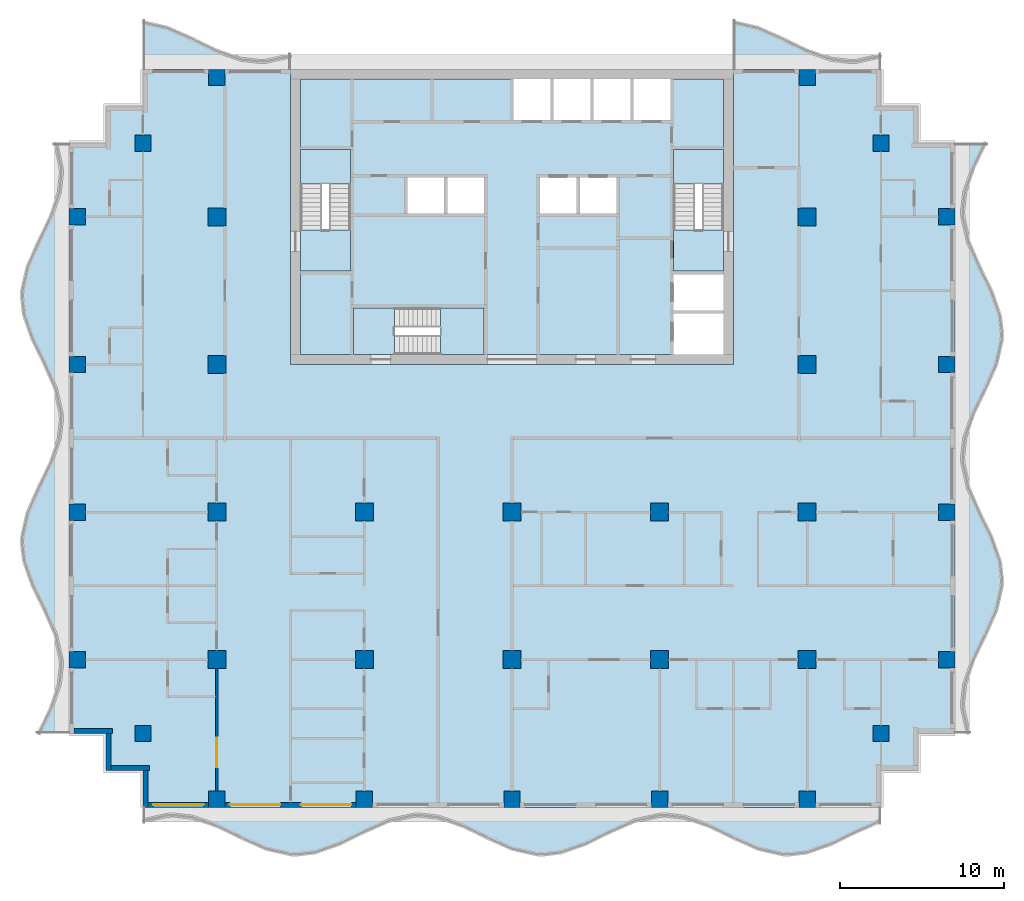
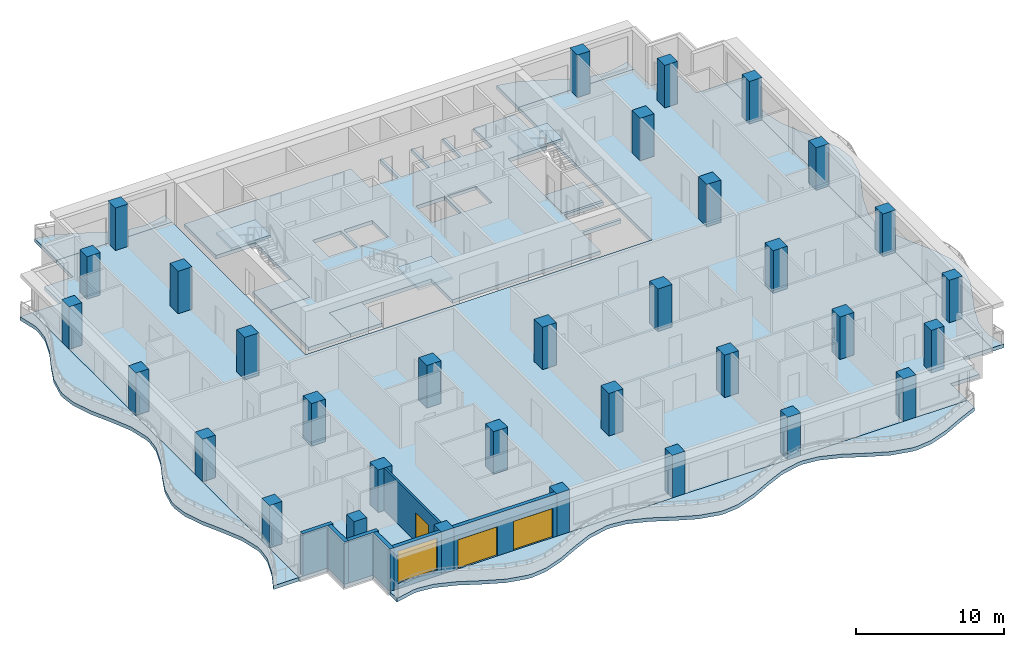
# One storey, part 1 of 11: 33 columns, 13 slabs, 7 walls, 3 doors, 1 window, 4 openings, 3 elements without a shape of their own.
"""IFC4 building model written with IfcOpenShell, lengths in metres."""

from ifc_helpers import new_model, si_unit, direction, frame, frame_2d, origin, origin_2d, place, context, subcontext, project, spatial, polyline, rectangle, outline, extrude, material, layer, layer_set, material_profile, profile_set, type_object, element, fill, aggregate, save


model = new_model("IFC4")

# Units and contexts
model_context = context("Model", 3, precision=1e-05, world=origin(), true_north=direction((0.0, 1.0)))
body_context = subcontext(model_context, "Body", "Model", "MODEL_VIEW")
ifc_project = project(units=[si_unit("LENGTHUNIT", "METRE"), si_unit("AREAUNIT", "SQUARE_METRE"), si_unit("VOLUMEUNIT", "CUBIC_METRE"), si_unit("PLANEANGLEUNIT", "RADIAN"), si_unit("MASSUNIT", "GRAM", prefix="KILO")], contexts=[model_context])

# Site, building, storey
site_placement = place(None, origin())
site = spatial("IfcSite", under=ifc_project, at=site_placement, CompositionType="ELEMENT")
building_placement = place(site_placement, origin())
building = spatial("IfcBuilding", under=site, at=building_placement, Name="Orbiselva Terraces", CompositionType="ELEMENT")
storey_placement = place(building_placement, frame((0.0, 0.0, 199.6)))
storey = spatial("IfcBuildingStorey", under=building, at=storey_placement, Name="L50", CompositionType="ELEMENT", Elevation=199.6)

# Columns
ifc_material_1 = material(Name="Concrete C60/75", Category="concrete")
ifc_material_profile_1 = material_profile(ifc_material_1, rectangle(XDim=1.1, YDim=1.1, at=origin_2d()), Name="RC 1100x1100")
ifc_profile_set_1 = profile_set([ifc_material_profile_1], Name="Concrete C60/75")
column_type_1 = type_object("IfcColumnType", Name="COLUMN RC 1100x1100", PredefinedType="COLUMN", material=ifc_profile_set_1)
for number, where, z_axis, x_axis, name in (
    (1, (-18.0, -13.5, 0.0), (0.0, 0.0, 1.0), (1.0, 0.0, 0.0), "Column L50-01"),
    (2, (-18.0, -4.5, 0.0), (0.0, 0.0, 1.0), (1.0, 0.0, 0.0), "Column L50-03"),
    (3, (-18.0, 13.5, 0.0), (0.0, 0.0, 1.0), (1.0, 0.0, 0.0), "Column L50-04"),
    (4, (-18.0, 4.5, 0.0), (0.0, 0.0, 1.0), (1.0, 0.0, 0.0), "Column L50-06"),
    (5, (-9.0, -13.5, 0.0), (0.0, 0.0, 1.0), (1.0, 0.0, 0.0), "Column L50-13"),
    (6, (-9.0, -4.5, 0.0), (0.0, 0.0, 1.0), (1.0, 0.0, 0.0), "Column L50-15"),
    (7, (0.0, -13.5, 0.0), (0.0, 0.0, 1.0), (1.0, 0.0, 0.0), "Column L50-16"),
    (8, (0.0, -4.5, 0.0), (0.0, 0.0, 1.0), (1.0, 0.0, 0.0), "Column L50-18"),
    (9, (18.0, -13.5, 0.0), (0.0, 0.0, 1.0), (1.0, 0.0, 0.0), "Column L50-19"),
    (10, (18.0, -4.5, 0.0), (0.0, 0.0, 1.0), (1.0, 0.0, 0.0), "Column L50-21"),
    (11, (18.0, 13.5, 0.0), (0.0, 0.0, 1.0), (1.0, 0.0, 0.0), "Column L50-22"),
    (12, (18.0, 4.5, 0.0), (0.0, 0.0, 1.0), (1.0, 0.0, 0.0), "Column L50-24"),
    (13, (9.0, -13.5, 0.0), (0.0, 0.0, 1.0), (1.0, 0.0, 0.0), "Column L50-31"),
    (14, (9.0, -4.5, 0.0), (0.0, 0.0, 1.0), (1.0, 0.0, 0.0), "Column L50-33"),
):
    element("IfcColumn", number, at=place(storey_placement, frame(where, z_axis=z_axis, x_axis=x_axis)), inside=storey, type_object=column_type_1, Name=name, PredefinedType="COLUMN", context=body_context, shape_type="SweptSolid", body=[
        extrude(rectangle(XDim=1.1, YDim=1.1, at=origin_2d()), origin(), (0.0, 0.0, 1.0), 3.5),
    ])
ifc_material_2 = material(Name="Concrete C50/60", Category="concrete")
ifc_material_profile_2 = material_profile(ifc_material_2, rectangle(XDim=1.0, YDim=1.0, at=origin_2d()), Name="RC 1000x1000")
ifc_profile_set_2 = profile_set([ifc_material_profile_2], Name="Concrete C50/60")
column_type_2 = type_object("IfcColumnType", Name="PERIMETER COLUMN RC 1000x1000", PredefinedType="COLUMN", material=ifc_profile_set_2)
for number, where, z_axis, x_axis, name in (
    (15, (-18.0, -22.0, 0.0), (0.0, 0.0, 1.0), (1.0, 0.0, 0.0), "Column L50-02"),
    (16, (-18.0, 22.0, 0.0), (0.0, 0.0, 1.0), (1.0, 0.0, 0.0), "Column L50-05"),
    (17, (-26.5, -13.5, 0.0), (0.0, 0.0, 1.0), (1.0, 0.0, 0.0), "Column L50-07"),
    (18, (-22.5, -18.0, 0.0), (0.0, 0.0, 1.0), (1.0, 0.0, 0.0), "Column L50-08"),
    (19, (-26.5, -4.5, 0.0), (0.0, 0.0, 1.0), (1.0, 0.0, 0.0), "Column L50-09"),
    (20, (-26.5, 13.5, 0.0), (0.0, 0.0, 1.0), (1.0, 0.0, 0.0), "Column L50-10"),
    (21, (-22.5, 18.0, 0.0), (0.0, 0.0, 1.0), (1.0, 0.0, 0.0), "Column L50-11"),
    (22, (-26.5, 4.5, 0.0), (0.0, 0.0, 1.0), (1.0, 0.0, 0.0), "Column L50-12"),
    (23, (-9.0, -22.0, 0.0), (0.0, 0.0, 1.0), (1.0, 0.0, 0.0), "Column L50-14"),
    (24, (0.0, -22.0, 0.0), (0.0, 0.0, 1.0), (1.0, 0.0, 0.0), "Column L50-17"),
    (25, (18.0, -22.0, 0.0), (0.0, 0.0, 1.0), (1.0, 0.0, 0.0), "Column L50-20"),
    (26, (18.0, 22.0, 0.0), (0.0, 0.0, 1.0), (1.0, 0.0, 0.0), "Column L50-23"),
    (27, (26.5, -13.5, 0.0), (0.0, 0.0, 1.0), (1.0, 0.0, 0.0), "Column L50-25"),
    (28, (22.5, -18.0, 0.0), (0.0, 0.0, 1.0), (1.0, 0.0, 0.0), "Column L50-26"),
    (29, (26.5, -4.5, 0.0), (0.0, 0.0, 1.0), (1.0, 0.0, 0.0), "Column L50-27"),
    (30, (26.5, 13.5, 0.0), (0.0, 0.0, 1.0), (1.0, 0.0, 0.0), "Column L50-28"),
    (31, (22.5, 18.0, 0.0), (0.0, 0.0, 1.0), (1.0, 0.0, 0.0), "Column L50-29"),
    (32, (26.5, 4.5, 0.0), (0.0, 0.0, 1.0), (1.0, 0.0, 0.0), "Column L50-30"),
    (33, (9.0, -22.0, 0.0), (0.0, 0.0, 1.0), (1.0, 0.0, 0.0), "Column L50-32"),
):
    element("IfcColumn", number, at=place(storey_placement, frame(where, z_axis=z_axis, x_axis=x_axis)), inside=storey, type_object=column_type_2, Name=name, PredefinedType="COLUMN", context=body_context, shape_type="SweptSolid", body=[
        extrude(rectangle(XDim=1.0, YDim=1.0, at=origin_2d()), origin(), (0.0, 0.0, 1.0), 3.5),
    ])

# Slabs
ifc_material_3 = material(Name="Concrete C40/50", Category="concrete")
ifc_layer_1 = layer(ifc_material_3, 0.3)
ifc_layer_set_1 = layer_set([ifc_layer_1], Name="Concrete C40/50")
slab_type_1 = type_object("IfcSlabType", Name="CORE-SLAB-FLOOR-300", PredefinedType="FLOOR", material=ifc_layer_set_1)
slab_1_placement = place(storey_placement, frame((0.0, 0.0, -0.3)))
element("IfcSlab", 34, at=slab_1_placement, inside=storey, type_object=slab_type_1, Name="L50 S1 floor landing", PredefinedType="FLOOR", context=body_context, shape_type="SweptSolid", body=[
    extrude(outline(polyline([(-12.9, 12.7), (-9.85, 12.7), (-9.85, 10.2), (-12.9, 10.2), (-12.9, 12.7)])), origin(), (0.0, 0.0, 1.0), 0.3),
])
slab_2_placement = place(storey_placement, frame((0.0, 0.0, -0.3)))
element("IfcSlab", 35, at=slab_2_placement, inside=storey, type_object=slab_type_1, Name="L50 S2 floor landing", PredefinedType="FLOOR", context=body_context, shape_type="SweptSolid", body=[
    extrude(outline(polyline([(12.9, 12.7), (12.9, 10.2), (9.85, 10.2), (9.85, 12.7), (12.9, 12.7)])), origin(), (0.0, 0.0, 1.0), 0.3),
])
slab_3_placement = place(storey_placement, frame((0.0, 0.0, -0.3)))
element("IfcSlab", 36, at=slab_3_placement, inside=storey, type_object=slab_type_1, Name="L50 S3 floor landing", PredefinedType="FLOOR", context=body_context, shape_type="SweptSolid", body=[
    extrude(outline(polyline([(-7.15, 5.1), (-9.65, 5.1), (-9.65, 7.95), (-7.15, 7.95), (-7.15, 5.1)])), origin(), (0.0, 0.0, 1.0), 0.3),
])
slab_4_placement = place(storey_placement, frame((0.0, 0.0, -0.3)))
element("IfcSlab", 37, at=slab_4_placement, inside=storey, type_object=slab_type_1, Name="L50 core floor slab 1", PredefinedType="FLOOR", context=body_context, shape_type="SweptSolid", body=[
    extrude(outline(polyline([(-1.7, 5.1), (-1.7, 7.95), (-9.65, 7.95), (-9.65, 5.1), (-12.9, 5.1), (-12.9, 10.2), (-9.85, 10.2), (-9.85, 17.6), (-12.9, 17.6), (-12.9, 21.9), (0.1, 21.9), (0.1, 19.4), (2.3375, 19.4), (2.3375, 21.9), (2.5375, 21.9), (2.5375, 19.4), (4.775, 19.4), (4.775, 21.9), (4.975, 21.9), (4.975, 19.4), (7.2125, 19.4), (7.2125, 21.9), (7.4125, 21.9), (7.4125, 19.4), (9.65, 19.4), (9.65, 21.9), (12.9, 21.9), (12.9, 17.6), (9.85, 17.6), (9.85, 10.2), (12.9, 10.2), (12.9, 10.0), (9.85, 10.0), (9.85, 7.8), (12.9, 7.8), (12.9, 7.6), (9.85, 7.6), (9.85, 5.1), (-1.7, 5.1)]), holes=[polyline([(-4.1375, 13.7), (-4.1375, 15.9), (-6.375, 15.9), (-6.375, 13.7), (-4.1375, 13.7)]), polyline([(-1.7, 13.7), (-1.7, 15.9), (-3.9375, 15.9), (-3.9375, 13.7), (-1.7, 13.7)]), polyline([(3.9375, 15.9), (1.7, 15.9), (1.7, 13.7), (3.9375, 13.7), (3.9375, 15.9)]), polyline([(6.375, 13.7), (6.375, 15.9), (4.1375, 15.9), (4.1375, 13.7), (6.375, 13.7)])]), origin(), (0.0, 0.0, 1.0), 0.3),
])

# Stair, slab
stair_type_1 = type_object("IfcStairType", Name="CORE-STAIR-1300", PredefinedType="HALF_TURN_STAIR", material=ifc_material_3)
stair_1_placement = place(storey_placement, origin())
stair_1 = element("IfcStair", 38, at=stair_1_placement, inside=storey, type_object=stair_type_1, Name="L50 Exit Stair S1", PredefinedType="HALF_TURN_STAIR")
ifc_layer_2 = layer(ifc_material_3, 0.2)
ifc_layer_set_2 = layer_set([ifc_layer_2], Name="Concrete C40/50")
slab_type_2 = type_object("IfcSlabType", Name="CORE-STAIR-LANDING-200", PredefinedType="LANDING", material=ifc_layer_set_2)
slab_5_placement = place(storey_placement, frame((0.0, 0.0, 1.7)))
slab_5 = element("IfcSlab", 39, at=slab_5_placement, type_object=slab_type_2, Name="S1 landing 1", PredefinedType="LANDING", context=body_context, shape_type="SweptSolid", body=[
    extrude(outline(polyline([(-9.85, 15.5), (-9.85, 17.6), (-12.9, 17.6), (-12.9, 15.5), (-9.85, 15.5)])), origin(), (0.0, 0.0, 1.0), 0.2),
])
aggregate(stair_1, [slab_5])

stair_2_placement = place(storey_placement, origin())
stair_2 = element("IfcStair", 40, at=stair_2_placement, inside=storey, type_object=stair_type_1, Name="L50 Exit Stair S2", PredefinedType="HALF_TURN_STAIR")
slab_6_placement = place(storey_placement, frame((0.0, 0.0, 1.7)))
slab_6 = element("IfcSlab", 41, at=slab_6_placement, type_object=slab_type_2, Name="S2 landing 1", PredefinedType="LANDING", context=body_context, shape_type="SweptSolid", body=[
    extrude(outline(polyline([(12.9, 15.5), (12.9, 17.6), (9.85, 17.6), (9.85, 15.5), (12.9, 15.5)])), origin(), (0.0, 0.0, 1.0), 0.2),
])
aggregate(stair_2, [slab_6])

stair_type_2 = type_object("IfcStairType", Name="CORE-STAIR-1200", PredefinedType="HALF_TURN_STAIR", material=ifc_material_3)
stair_3_placement = place(storey_placement, origin())
stair_3 = element("IfcStair", 42, at=stair_3_placement, inside=storey, type_object=stair_type_2, Name="L50 Exit Stair S3", PredefinedType="HALF_TURN_STAIR")
slab_7_placement = place(storey_placement, frame((0.0, 0.0, 1.7)))
slab_7 = element("IfcSlab", 43, at=slab_7_placement, type_object=slab_type_2, Name="S3 landing 1", PredefinedType="LANDING", context=body_context, shape_type="SweptSolid", body=[
    extrude(outline(polyline([(-4.35, 5.1), (-1.7, 5.1), (-1.7, 7.95), (-4.35, 7.95), (-4.35, 5.1)])), origin(), (0.0, 0.0, 1.0), 0.2),
])
aggregate(stair_3, [slab_7])

# Slabs
ifc_layer_3 = layer(ifc_material_2, 0.3)
ifc_layer_set_3 = layer_set([ifc_layer_3], Name="Concrete C50/60")
slab_type_3 = type_object("IfcSlabType", Name="ENV-BALCONY-SLAB-300", PredefinedType="FLOOR", material=ifc_layer_set_3)
slab_8_placement = place(storey_placement, frame((0.0, 0.0, -0.3)))
element("IfcSlab", 44, at=slab_8_placement, inside=storey, type_object=slab_type_3, Name="Balcony slab L50 S", PredefinedType="FLOOR", context=body_context, shape_type="SweptSolid", body=[
    extrude(outline(polyline([(-22.5, -23.451472), (-21.0, -23.114774), (-20.625, -23.1), (-19.5, -23.230792), (-18.0, -23.755211), (-16.5, -24.487721), (-15.0, -25.148528), (-13.5, -25.485226), (-13.125, -25.5), (-12.0, -25.369208), (-10.5, -24.844789), (-9.0, -24.112279), (-7.5, -23.451472), (-6.0, -23.114774), (-5.625, -23.1), (-4.5, -23.230792), (-3.0, -23.755211), (-1.5, -24.487721), (0.0, -25.148528), (1.5, -25.485226), (1.875, -25.5), (3.0, -25.369208), (4.5, -24.844789), (6.0, -24.112279), (7.5, -23.451472), (9.0, -23.114774), (9.375, -23.1), (10.5, -23.230792), (12.0, -23.755211), (13.5, -24.487721), (15.0, -25.148528), (16.5, -25.485226), (16.875, -25.5), (18.0, -25.369208), (19.5, -24.844789), (21.0, -24.112279), (22.5, -23.451472), (22.5, -22.5), (-22.5, -22.5), (-22.5, -23.451472)])), origin(), (0.0, 0.0, 1.0), 0.3),
])
slab_9_placement = place(storey_placement, frame((0.0, 0.0, -0.3)))
element("IfcSlab", 45, at=slab_9_placement, inside=storey, type_object=slab_type_3, Name="Balcony slab L50 E", PredefinedType="FLOOR", context=body_context, shape_type="SweptSolid", body=[
    extrude(outline(polyline([(27.951472, -18.0), (27.614774, -16.5), (27.6, -16.125), (27.730792, -15.0), (28.255211, -13.5), (28.987721, -12.0), (29.648528, -10.5), (29.985226, -9.0), (30.0, -8.625), (29.869208, -7.5), (29.344789, -6.0), (28.612279, -4.5), (27.951472, -3.0), (27.614774, -1.5), (27.6, -1.125), (27.730792, 0.0), (28.255211, 1.5), (28.987721, 3.0), (29.648528, 4.5), (29.985226, 6.0), (30.0, 6.375), (29.869208, 7.5), (29.344789, 9.0), (28.612279, 10.5), (27.951472, 12.0), (27.614774, 13.5), (27.6, 13.875), (27.730792, 15.0), (28.255211, 16.5), (28.987721, 18.0), (27.0, 18.0), (27.0, -18.0), (27.951472, -18.0)])), origin(), (0.0, 0.0, 1.0), 0.3),
])
slab_10_placement = place(storey_placement, frame((0.0, 0.0, -0.3)))
element("IfcSlab", 46, at=slab_10_placement, inside=storey, type_object=slab_type_3, Name="Balcony slab L50 NE", PredefinedType="FLOOR", context=body_context, shape_type="SweptSolid", body=[
    extrude(outline(polyline([(22.5, 23.451472), (21.0, 23.114774), (20.625, 23.1), (19.5, 23.230792), (18.0, 23.755211), (16.5, 24.487721), (15.0, 25.148528), (13.5, 25.485226), (13.5, 22.5), (22.5, 22.5), (22.5, 23.451472)])), origin(), (0.0, 0.0, 1.0), 0.3),
])
slab_11_placement = place(storey_placement, frame((0.0, 0.0, -0.3)))
element("IfcSlab", 47, at=slab_11_placement, inside=storey, type_object=slab_type_3, Name="Balcony slab L50 NW", PredefinedType="FLOOR", context=body_context, shape_type="SweptSolid", body=[
    extrude(outline(polyline([(-13.5, 23.451472), (-15.0, 23.114774), (-15.375, 23.1), (-16.5, 23.230792), (-18.0, 23.755211), (-19.5, 24.487721), (-21.0, 25.148528), (-22.5, 25.485226), (-22.5, 22.5), (-13.5, 22.5), (-13.5, 23.451472)])), origin(), (0.0, 0.0, 1.0), 0.3),
])
slab_12_placement = place(storey_placement, frame((0.0, 0.0, -0.3)))
element("IfcSlab", 48, at=slab_12_placement, inside=storey, type_object=slab_type_3, Name="Balcony slab L50 W", PredefinedType="FLOOR", context=body_context, shape_type="SweptSolid", body=[
    extrude(outline(polyline([(-27.951472, 18.0), (-27.614774, 16.5), (-27.6, 16.125), (-27.730792, 15.0), (-28.255211, 13.5), (-28.987721, 12.0), (-29.648528, 10.5), (-29.985226, 9.0), (-30.0, 8.625), (-29.869208, 7.5), (-29.344789, 6.0), (-28.612279, 4.5), (-27.951472, 3.0), (-27.614774, 1.5), (-27.6, 1.125), (-27.730792, 0.0), (-28.255211, -1.5), (-28.987721, -3.0), (-29.648528, -4.5), (-29.985226, -6.0), (-30.0, -6.375), (-29.869208, -7.5), (-29.344789, -9.0), (-28.612279, -10.5), (-27.951472, -12.0), (-27.614774, -13.5), (-27.6, -13.875), (-27.730792, -15.0), (-28.255211, -16.5), (-28.987721, -18.0), (-27.0, -18.0), (-27.0, 18.0), (-27.951472, 18.0)])), origin(), (0.0, 0.0, 1.0), 0.3),
])
ifc_layer_4 = layer(ifc_material_2, 0.3)
ifc_layer_set_4 = layer_set([ifc_layer_4], Name="Concrete C50/60")
slab_type_4 = type_object("IfcSlabType", Name="FLOOR SLAB 300", PredefinedType="FLOOR", material=ifc_layer_set_4)
slab_13_placement = place(storey_placement, frame((0.0, 0.0, -0.3)))
element("IfcSlab", 49, at=slab_13_placement, inside=storey, type_object=slab_type_4, Name="Floor slab L50", PredefinedType="FLOOR", context=body_context, shape_type="SweptSolid", body=[
    extrude(outline(polyline([(22.5, 22.5), (22.5, 20.25), (24.75, 20.25), (24.75, 18.0), (27.0, 18.0), (27.0, -18.0), (24.75, -18.0), (24.75, -20.25), (22.5, -20.25), (22.5, -22.5), (-22.5, -22.5), (-22.5, -20.25), (-24.75, -20.25), (-24.75, -18.0), (-27.0, -18.0), (-27.0, 18.0), (-24.75, 18.0), (-24.75, 20.25), (-22.5, 20.25), (-22.5, 22.5), (-13.5, 22.5), (-13.5, 4.5), (13.5, 4.5), (13.5, 22.5), (22.5, 22.5)])), origin(), (0.0, 0.0, 1.0), 0.3),
])

# Wall, opening, window
ifc_material_4 = material(Name="Terracotta cladding on masonry backing", Category="masonry")
ifc_layer_5 = layer(ifc_material_4, 0.3)
ifc_layer_set_5 = layer_set([ifc_layer_5], Name="Terracotta cladding on masonry backing")
wall_type_1 = type_object("IfcWallType", Name="ENV-WALL-TERRACOTTA-300", PredefinedType="SOLIDWALL", material=ifc_layer_set_5)
wall_1_placement = place(storey_placement, frame((-18.5, -22.35, 0.0), z_axis=(0.0, 0.0, 1.0), x_axis=(-1.0, 0.0, 0.0)))
wall_1 = element("IfcWall", 50, at=wall_1_placement, inside=storey, type_object=wall_type_1, Name="Facade wall L50 S", PredefinedType="SOLIDWALL", context=body_context, shape_type="SweptSolid", body=[
    extrude(rectangle(XDim=3.7, YDim=0.3, at=frame_2d((1.85, 0.0))), origin(), (0.0, 0.0, 1.0), 3.5),
])
opening_1_placement = place(wall_1_placement, frame((0.3, 0.0, 0.45)))
opening_1 = element("IfcOpeningElement", 51, at=opening_1_placement, cuts=wall_1, Name="Opening WN15", PredefinedType="OPENING", context=body_context, shape_type="SweptSolid", body=[
    extrude(rectangle(XDim=3.075, YDim=2.65, at=frame_2d((1.5375, 1.325))), frame((0.0, 0.16, 0.0), z_axis=(0.0, -1.0, 0.0), x_axis=(1.0, 0.0, 0.0)), (0.0, 0.0, 1.0), 0.32),
])
ifc_material_5 = material(Name="Clear low-e glazing in aluminium frame", Category="aluminium")
window_type = type_object("IfcWindowType", Name="WINDOW 3075 X 2650 S450", PartitioningType="TRIPLE_PANEL_VERTICAL", PredefinedType="WINDOW", material=ifc_material_5)
window_placement = place(opening_1_placement, origin())
window = element("IfcWindow", 52, at=window_placement, inside=storey, type_object=window_type, Name="Window L50 S", OverallHeight=2.65, OverallWidth=3.075, PartitioningType="SINGLE_PANEL", PredefinedType="WINDOW", context=body_context, shape_type="SweptSolid", body=[
    extrude(rectangle(XDim=3.075, YDim=2.65, at=frame_2d((1.5375, 1.325))), frame((0.0, 0.03, 0.0), z_axis=(0.0, -1.0, 0.0), x_axis=(1.0, 0.0, 0.0)), (0.0, 0.0, 1.0), 0.06),
])
fill(opening_1, window)

# Wall, openings, doors
wall_2_placement = place(storey_placement, frame((-9.5, -22.35, 0.0), z_axis=(0.0, 0.0, 1.0), x_axis=(-1.0, 0.0, 0.0)))
wall_2 = element("IfcWall", 53, at=wall_2_placement, inside=storey, type_object=wall_type_1, Name="Facade wall L50 S", PredefinedType="SOLIDWALL", context=body_context, shape_type="SweptSolid", body=[
    extrude(rectangle(XDim=8.0, YDim=0.3, at=frame_2d((4.0, 0.0))), origin(), (0.0, 0.0, 1.0), 3.5),
])
opening_2_placement = place(wall_2_placement, frame((4.625, 0.0, 0.0)))
opening_2 = element("IfcOpeningElement", 54, at=opening_2_placement, cuts=wall_2, Name="Opening Z4-B-E10", PredefinedType="OPENING", context=body_context, shape_type="SweptSolid", body=[
    extrude(rectangle(XDim=3.075, YDim=2.4, at=frame_2d((1.5375, 1.2))), frame((0.0, 0.16, 0.0), z_axis=(0.0, -1.0, 0.0), x_axis=(1.0, 0.0, 0.0)), (0.0, 0.0, 1.0), 0.32),
])
opening_3_placement = place(wall_2_placement, frame((0.3, 0.0, 0.0)))
opening_3 = element("IfcOpeningElement", 55, at=opening_3_placement, cuts=wall_2, Name="Opening Z4-B-E11", PredefinedType="OPENING", context=body_context, shape_type="SweptSolid", body=[
    extrude(rectangle(XDim=3.075, YDim=2.4, at=frame_2d((1.5375, 1.2))), frame((0.0, 0.16, 0.0), z_axis=(0.0, -1.0, 0.0), x_axis=(1.0, 0.0, 0.0)), (0.0, 0.0, 1.0), 0.32),
])
door_type_1 = type_object("IfcDoorType", Name="BALCONY DOOR 3075 X 2400", OperationType="DOUBLE_DOOR_SLIDING", PredefinedType="DOOR", material=ifc_material_5)
door_1_placement = place(opening_2_placement, origin())
door_1 = element("IfcDoor", 56, at=door_1_placement, inside=storey, type_object=door_type_1, Name="Z4-B-E10", OperationType="SINGLE_SWING_LEFT", OverallHeight=2.4, OverallWidth=3.075, PredefinedType="DOOR", context=body_context, shape_type="SweptSolid", body=[
    extrude(rectangle(XDim=3.075, YDim=2.4, at=frame_2d((1.5375, 1.2))), frame((0.0, 0.025, 0.0), z_axis=(0.0, -1.0, 0.0), x_axis=(1.0, 0.0, 0.0)), (0.0, 0.0, 1.0), 0.05),
])
fill(opening_2, door_1)
door_2_placement = place(opening_3_placement, origin())
door_2 = element("IfcDoor", 57, at=door_2_placement, inside=storey, type_object=door_type_1, Name="Z4-B-E11", OperationType="SINGLE_SWING_LEFT", OverallHeight=2.4, OverallWidth=3.075, PredefinedType="DOOR", context=body_context, shape_type="SweptSolid", body=[
    extrude(rectangle(XDim=3.075, YDim=2.4, at=frame_2d((1.5375, 1.2))), frame((0.0, 0.025, 0.0), z_axis=(0.0, -1.0, 0.0), x_axis=(1.0, 0.0, 0.0)), (0.0, 0.0, 1.0), 0.05),
])
fill(opening_3, door_2)

# Walls
wall_3_placement = place(storey_placement, frame((-24.35, -17.85, 0.0), z_axis=(0.0, 0.0, 1.0), x_axis=(-1.0, 0.0, 0.0)))
element("IfcWall", 58, at=wall_3_placement, inside=storey, type_object=wall_type_1, Name="Facade wall L50 STEP", PredefinedType="SOLIDWALL", context=body_context, shape_type="SweptSolid", body=[
    extrude(rectangle(XDim=2.35, YDim=0.3, at=frame_2d((1.175, 0.0))), origin(), (0.0, 0.0, 1.0), 3.5),
])
wall_4_placement = place(storey_placement, frame((-24.6, -20.25, 0.0), z_axis=(0.0, 0.0, 1.0), x_axis=(0.0, 1.0, 0.0)))
element("IfcWall", 59, at=wall_4_placement, inside=storey, type_object=wall_type_1, Name="Facade wall L50 STEP", PredefinedType="SOLIDWALL", context=body_context, shape_type="SweptSolid", body=[
    extrude(rectangle(XDim=2.25, YDim=0.3, at=frame_2d((1.125, 0.0))), origin(), (0.0, 0.0, 1.0), 3.5),
])
wall_5_placement = place(storey_placement, frame((-22.1, -20.1, 0.0), z_axis=(0.0, 0.0, 1.0), x_axis=(-1.0, 0.0, 0.0)))
element("IfcWall", 60, at=wall_5_placement, inside=storey, type_object=wall_type_1, Name="Facade wall L50 STEP", PredefinedType="SOLIDWALL", context=body_context, shape_type="SweptSolid", body=[
    extrude(rectangle(XDim=2.35, YDim=0.3, at=frame_2d((1.175, 0.0))), origin(), (0.0, 0.0, 1.0), 3.5),
])
wall_6_placement = place(storey_placement, frame((-22.35, -22.5, 0.0), z_axis=(0.0, 0.0, 1.0), x_axis=(0.0, 1.0, 0.0)))
element("IfcWall", 61, at=wall_6_placement, inside=storey, type_object=wall_type_1, Name="Facade wall L50 STEP", PredefinedType="SOLIDWALL", context=body_context, shape_type="SweptSolid", body=[
    extrude(rectangle(XDim=2.25, YDim=0.3, at=frame_2d((1.125, 0.0))), origin(), (0.0, 0.0, 1.0), 3.5),
])

# Wall, opening, door
ifc_material_6 = material(Name="Plasterboard on steel stud partition", Category="steel")
ifc_layer_6 = layer(ifc_material_6, 0.15)
ifc_layer_set_6 = layer_set([ifc_layer_6], Name="Plasterboard on steel stud partition")
wall_type_2 = type_object("IfcWallType", Name="UNIT-PARTITION-150", PredefinedType="PARTITIONING", material=ifc_layer_set_6)
wall_7_placement = place(storey_placement, frame((-18.0, -21.5, 0.0), z_axis=(0.0, 0.0, 1.0), x_axis=(0.0, 1.0, 0.0)))
wall_7 = element("IfcWall", 62, at=wall_7_placement, inside=storey, type_object=wall_type_2, Name="PARTITION L50-049", PredefinedType="PARTITIONING", context=body_context, shape_type="SweptSolid", body=[
    extrude(rectangle(XDim=7.45, YDim=0.15, at=frame_2d((3.725, 0.0))), origin(), (0.0, 0.0, 1.0), 3.5),
])
opening_4_placement = place(wall_7_placement, frame((1.45, 0.0, 0.0)))
opening_4 = element("IfcOpeningElement", 63, at=opening_4_placement, cuts=wall_7, Name="Opening Z4-B-28", PredefinedType="OPENING", context=body_context, shape_type="SweptSolid", body=[
    extrude(rectangle(XDim=1.8, YDim=2.4, at=frame_2d((0.9, 1.2))), frame((0.0, 0.085, 0.0), z_axis=(0.0, -1.0, 0.0), x_axis=(1.0, 0.0, 0.0)), (0.0, 0.0, 1.0), 0.17),
])
ifc_material_7 = material(Name="Painted timber door leaf", Category="wood")
door_type_2 = type_object("IfcDoorType", Name="DOUBLE DOOR 1800", OperationType="NOTDEFINED", PredefinedType="DOOR", material=ifc_material_7)
door_3_placement = place(opening_4_placement, origin())
door_3 = element("IfcDoor", 64, at=door_3_placement, inside=storey, type_object=door_type_2, Name="Z4-B-28", OperationType="DOUBLE_DOOR_SINGLE_SWING", OverallHeight=2.4, OverallWidth=1.8, PredefinedType="DOOR", context=body_context, shape_type="SweptSolid", body=[
    extrude(rectangle(XDim=1.8, YDim=2.4, at=frame_2d((0.9, 1.2))), frame((0.0, 0.025, 0.0), z_axis=(0.0, -1.0, 0.0), x_axis=(1.0, 0.0, 0.0)), (0.0, 0.0, 1.0), 0.05),
])
fill(opening_4, door_3)

save(model, "model.ifc")
